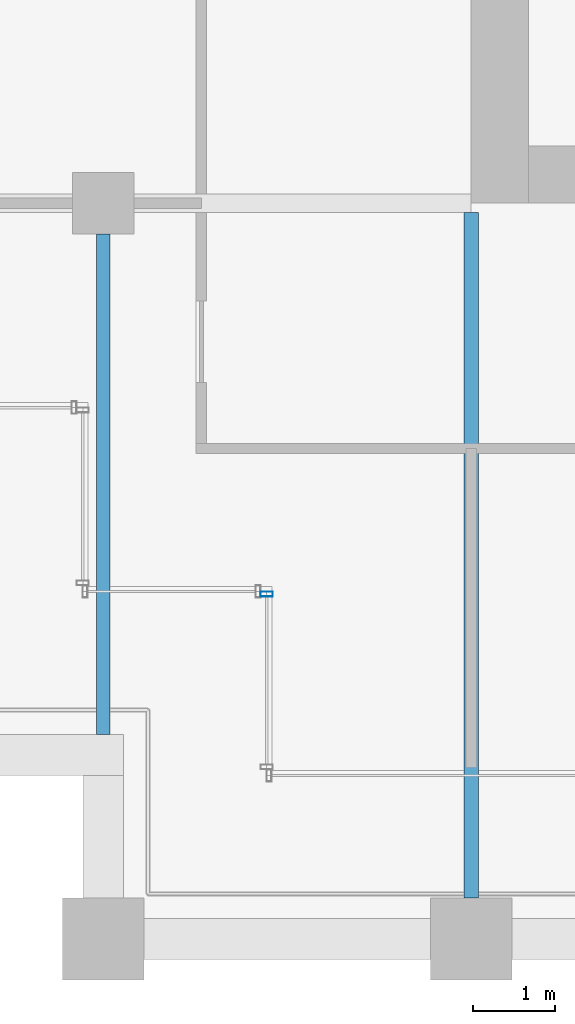
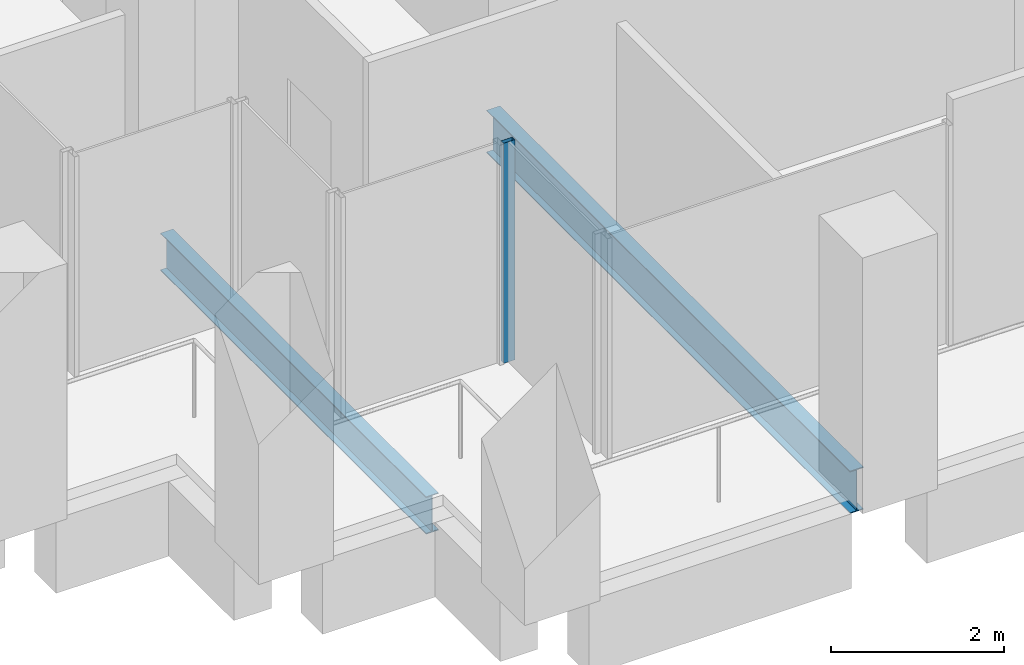
# One storey, part 29 of 46: 2 beams, 1 member, 1 element without a shape of its own.
"""IFC4 building model written with IfcOpenShell, lengths in metres."""

from ifc_helpers import new_model, si_unit, direction, frame, origin, origin_2d, place, context, subcontext, project, spatial, hollow_rectangle, i_section, extrude, material, material_profile, profile_set, type_object, element, aggregate, save


model = new_model("IFC4")

# Units and contexts
model_context = context("Model", 3, precision=1e-05, world=origin(), true_north=direction((0.0, 1.0)))
body_context = subcontext(model_context, "Body", "Model", "MODEL_VIEW")
ifc_project = project(units=[si_unit("LENGTHUNIT", "METRE"), si_unit("AREAUNIT", "SQUARE_METRE"), si_unit("VOLUMEUNIT", "CUBIC_METRE"), si_unit("PLANEANGLEUNIT", "RADIAN"), si_unit("MASSUNIT", "GRAM", prefix="KILO")], contexts=[model_context])

# Site, building, storey
site_placement = place(None, origin())
site = spatial("IfcSite", under=ifc_project, at=site_placement, CompositionType="ELEMENT")
building_placement = place(site_placement, origin())
building = spatial("IfcBuilding", under=site, at=building_placement, Name="Altepetl Exchange Towers", CompositionType="ELEMENT")
storey_placement = place(building_placement, frame((0.0, 0.0, 124.39990234375)))
storey = spatial("IfcBuildingStorey", under=building, at=storey_placement, Name="L30", CompositionType="ELEMENT", Elevation=124.39990234375)

# Beams
ifc_material_1 = material(Name="Steel S355", Category="steel")
ifc_material_profile_1 = material_profile(ifc_material_1, i_section(OverallWidth=0.166015625, OverallDepth=0.529052734375, WebThickness=0.009765625, FlangeThickness=0.013671875, at=origin_2d()), Name="W21X50")
ifc_profile_set_1 = profile_set([ifc_material_profile_1], Name="Steel S355")
beam_type_1 = type_object("IfcBeamType", Name="Floor beam W21X50", PredefinedType="BEAM", material=ifc_profile_set_1)
beam_1_placement = place(storey_placement, frame((99.0, 29.5, -0.414306640625), z_axis=(0.0, 1.0, 0.0), x_axis=(-1.0, 0.0, 0.0)))
element("IfcBeam", 1, at=beam_1_placement, inside=storey, type_object=beam_type_1, Name="bm:B:L30:004", PredefinedType="BEAM", context=body_context, shape_type="SweptSolid", body=[
    extrude(i_section(OverallWidth=0.166015625, OverallDepth=0.529052734375, WebThickness=0.009765625, FlangeThickness=0.013671875, at=origin_2d()), origin(), (0.0, 0.0, 1.0), 6.125),
])
ifc_material_profile_2 = material_profile(ifc_material_1, i_section(OverallWidth=0.177978515625, OverallDepth=0.59912109375, WebThickness=0.010009765625, FlangeThickness=0.0126953125, at=origin_2d()), Name="W24X55")
ifc_profile_set_2 = profile_set([ifc_material_profile_2], Name="Steel S355")
beam_type_2 = type_object("IfcBeamType", Name="Floor beam W24X55", PredefinedType="BEAM", material=ifc_profile_set_2)
beam_2_placement = place(storey_placement, frame((103.5, 27.5, -0.449462890625), z_axis=(0.0, 1.0, 0.0), x_axis=(-1.0, 0.0, 0.0)))
element("IfcBeam", 2, at=beam_2_placement, inside=storey, type_object=beam_type_2, Name="bm:B:L30:005", PredefinedType="BEAM", context=body_context, shape_type="SweptSolid", body=[
    extrude(i_section(OverallWidth=0.177978515625, OverallDepth=0.59912109375, WebThickness=0.010009765625, FlangeThickness=0.0126953125, at=origin_2d()), origin(), (0.0, 0.0, 1.0), 8.385986328125),
])

# Curtain wall, member
ifc_material_2 = material(Name="Aluminium 6063-T6 glazing", Category="aluminium")
curtain_wall_type = type_object("IfcCurtainWallType", Name="Loggia glazing system", PredefinedType="NOTDEFINED", material=ifc_material_2)
curtain_wall_placement = place(storey_placement, origin())
curtain_wall = element("IfcCurtainWall", 3, at=curtain_wall_placement, inside=storey, type_object=curtain_wall_type, Name="CW1 run", PredefinedType="NOTDEFINED")
ifc_material_3 = material(Name="Aluminium 6063-T6", Category="aluminium")
ifc_material_profile_3 = material_profile(ifc_material_3, hollow_rectangle(XDim=0.06005859375, YDim=0.14990234375, WallThickness=0.0029296875, at=origin_2d()), Name="Mullion 60x150 aluminium")
ifc_profile_set_3 = profile_set([ifc_material_profile_3], Name="Aluminium 6063-T6")
member_type = type_object("IfcMemberType", Name="Mullion 60x150 aluminium", PredefinedType="MULLION", material=ifc_profile_set_3)
member_placement = place(storey_placement, frame((101.0, 31.219970703125, 0.0), z_axis=(0.0, 0.0, 1.0), x_axis=(0.0, -1.0, 0.0)))
member = element("IfcMember", 4, at=member_placement, type_object=member_type, Name="MU1 mullion", PredefinedType="MULLION", context=body_context, shape_type="SweptSolid", body=[
    extrude(hollow_rectangle(XDim=0.06005859375, YDim=0.14990234375, WallThickness=0.0029296875, at=origin_2d()), origin(), (0.0, 0.0, 1.0), 3.10009765625),
])
aggregate(curtain_wall, [member])

save(model, "model.ifc")
